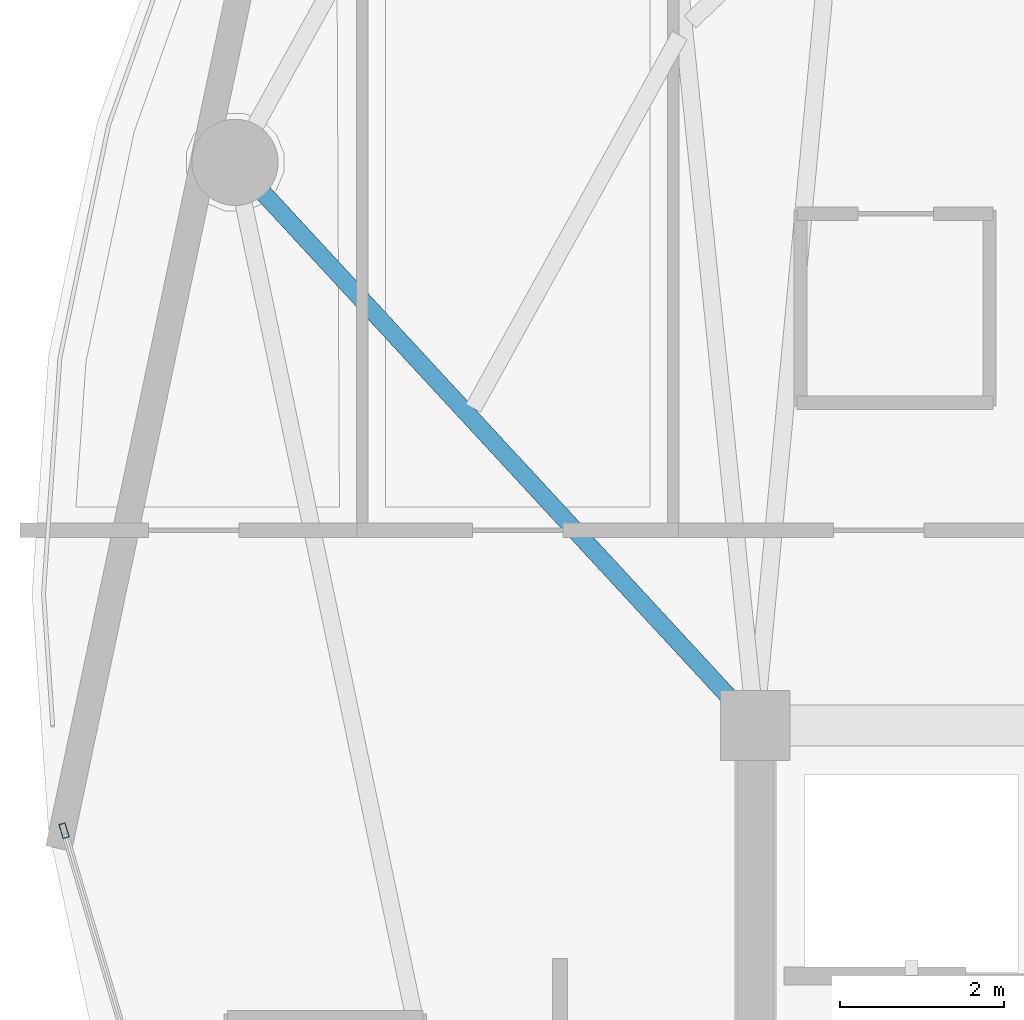
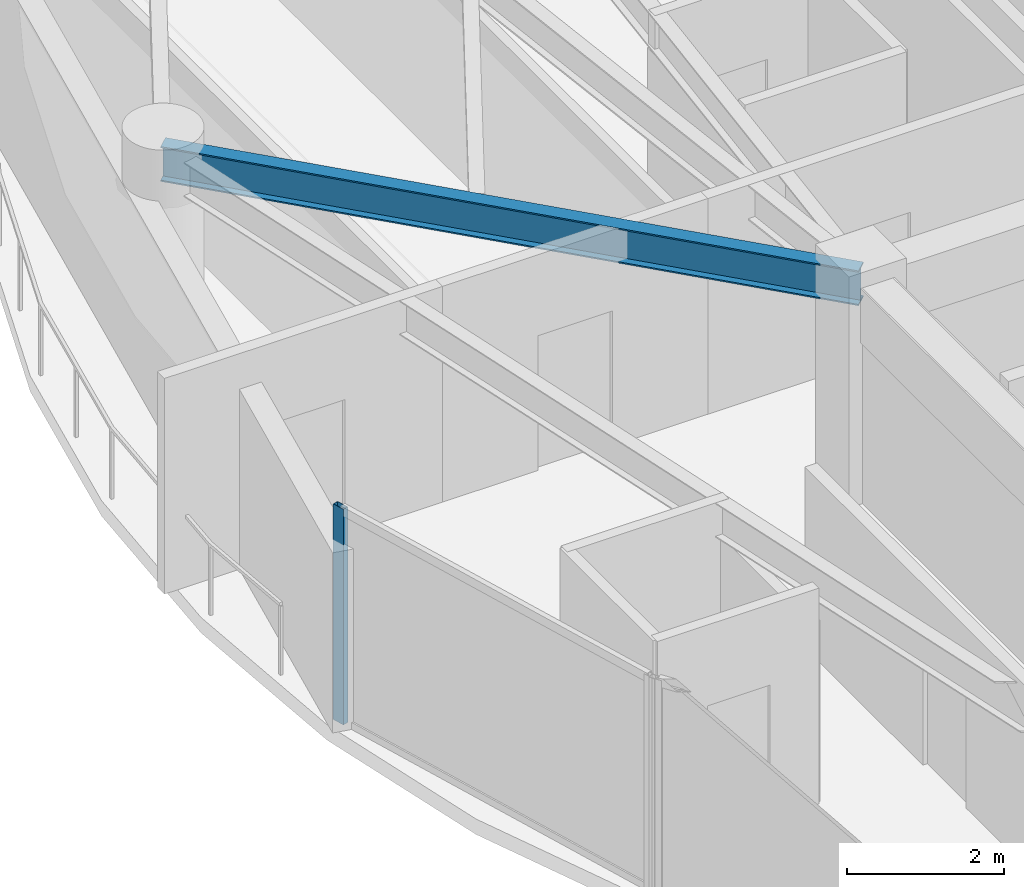
# One storey, part 7 of 29: 1 beam, 1 member, 1 element without a shape of its own.
"""IFC4 building model written with IfcOpenShell, lengths in metres."""

import ifcopenshell
import ifcopenshell.guid

model = None  # the IFC model being written
_history = None  # IfcOwnerHistory: only IFC2X3 demands one
_inside = {}  # id of a spatial element -> (the spatial element, [elements in it])
_under = {}  # id of a project, library or spatial element -> (it, [spatial elements below it])
_declared = {}  # id of a project -> (the project, [libraries it declares])
_typed = {}  # id of a type object -> (the type object, [elements of that type])
_made_of = {}  # id of a material, layer set ... -> (it, [elements and type objects made of it])


def new_model(schema):
    """Start an empty IFC model of exactly this schema.

    Asked for "IFC4X3", IfcOpenShell would pick the latest addendum, in which some entities
    have other attributes; the version numbers below select the first issue.
    IFC2X3 requires an IfcOwnerHistory on every rooted entity: one is made here for all.
    """
    global model, _history
    if schema == "IFC4X3":
        model = ifcopenshell.file(schema_version=(4, 3, 0, 0))
    else:
        model = ifcopenshell.file(schema=schema)
    _inside.clear()
    _under.clear()
    _declared.clear()
    _typed.clear()
    _made_of.clear()
    _history = None
    if model.schema == "IFC2X3":
        org = make("IfcOrganization", Name="unknown")
        user = make(
            "IfcPersonAndOrganization",
            ThePerson=make("IfcPerson", FamilyName="unknown"),
            TheOrganization=org,
        )
        app = make(
            "IfcApplication",
            ApplicationDeveloper=org,
            Version="unknown",
            ApplicationFullName="unknown",
            ApplicationIdentifier="unknown",
        )
        _history = make(
            "IfcOwnerHistory",
            OwningUser=user,
            OwningApplication=app,
            ChangeAction="ADDED",
            CreationDate=0,
        )
    return model


def make(cls, **values):
    """One entity of the class cls with the attributes given. An attribute that is None is left unset."""
    return model.create_entity(
        cls, **{name: value for name, value in values.items() if value is not None}
    )


def rooted(cls, **values):
    """An entity with a GlobalId (a new one), such as an element, a storey or a relation."""
    return make(cls, GlobalId=ifcopenshell.guid.new(), OwnerHistory=_history, **values)


def si_unit(unit_type, name, prefix=None):
    """IfcSIUnit, for example si_unit("LENGTHUNIT", "METRE", prefix="MILLI")."""
    return make("IfcSIUnit", UnitType=unit_type, Prefix=prefix, Name=name)


def assignment(units):
    """IfcUnitAssignment: the units of a project."""
    return None if units is None else make("IfcUnitAssignment", Units=units)


def point(xyz):
    """IfcCartesianPoint."""
    return None if xyz is None else make("IfcCartesianPoint", Coordinates=xyz)


def direction(xyz):
    """IfcDirection."""
    return None if xyz is None else make("IfcDirection", DirectionRatios=xyz)


def frame(location, z_axis=None, x_axis=None):
    """IfcAxis2Placement3D, a coordinate frame: its origin and axes. An axis left out is left unset."""
    return make(
        "IfcAxis2Placement3D",
        Location=point(location),
        Axis=direction(z_axis),
        RefDirection=direction(x_axis),
    )


def frame_2d(location, x_axis=None):
    """IfcAxis2Placement2D, a coordinate frame in the plane: its origin and x axis."""
    return make(
        "IfcAxis2Placement2D", Location=point(location), RefDirection=direction(x_axis)
    )


def origin():
    """The frame at (0, 0, 0) with its axes left unset."""
    return frame((0.0, 0.0, 0.0))


def origin_2d():
    """The frame at (0, 0) in the plane with its x axis left unset."""
    return frame_2d((0.0, 0.0))


def place(relative_to, where):
    """IfcLocalPlacement: puts the frame where relative to a parent placement (None: the world)."""
    return make(
        "IfcLocalPlacement", PlacementRelTo=relative_to, RelativePlacement=where
    )


def context(
    kind, dimensions, precision=None, world=None, true_north=None, identifier=None
):
    """IfcGeometricRepresentationContext, for example the 3D "Model" context."""
    return make(
        "IfcGeometricRepresentationContext",
        ContextIdentifier=identifier,
        ContextType=kind,
        CoordinateSpaceDimension=dimensions,
        Precision=precision,
        WorldCoordinateSystem=world,
        TrueNorth=true_north,
    )


def subcontext(parent, identifier, kind, view, scale=None):
    """IfcGeometricRepresentationSubContext, for example "Body" below "Model"."""
    return make(
        "IfcGeometricRepresentationSubContext",
        ContextIdentifier=identifier,
        ContextType=kind,
        ParentContext=parent,
        TargetScale=scale,
        TargetView=view,
    )


def project(units=None, contexts=None):
    """IfcProject with its units and contexts."""
    return rooted(
        "IfcProject",
        Name="project",
        RepresentationContexts=contexts,
        UnitsInContext=assignment(units),
    )


def spatial(cls, under=None, at=None, **own):
    """A site, building, storey or space (cls), placed at a placement, below another one or the project."""
    s = rooted(cls, ObjectPlacement=at, **own)
    if under is not None:
        _under.setdefault(under.id(), (under, []))[1].append(s)
    return s


def profile(cls, at=None, kind="AREA", **sizes):
    """A parametric profile (cls). Its sizes go by their IFC names, for example OverallWidth=200.0."""
    return make(cls, ProfileType=kind, Position=at, **sizes)


def hollow_rectangle(**sizes):
    """IfcRectangleHollowProfileDef."""
    return profile("IfcRectangleHollowProfileDef", **sizes)


def i_section(**sizes):
    """IfcIShapeProfileDef."""
    return profile("IfcIShapeProfileDef", **sizes)


def extrude(swept, where, along, depth):
    """IfcExtrudedAreaSolid: the profile swept, set in the frame where, extruded along a direction by depth."""
    return make(
        "IfcExtrudedAreaSolid",
        SweptArea=swept,
        Position=where,
        ExtrudedDirection=direction(along),
        Depth=depth,
    )


def shape(context_of_items, identifier, shape_type, items):
    """IfcShapeRepresentation: the items that make up one representation, for example the "Body"."""
    return make(
        "IfcShapeRepresentation",
        ContextOfItems=context_of_items,
        RepresentationIdentifier=identifier,
        RepresentationType=shape_type,
        Items=items,
    )


def material(Name=None, Category=None):
    """IfcMaterial."""
    return make("IfcMaterial", Name=Name, Category=Category)


def layer(
    of_material, thickness, ventilated=None, Name=None, Category=None, Priority=None
):
    """IfcMaterialLayer: one layer of a wall or slab, of a material (None: an air gap)."""
    return make(
        "IfcMaterialLayer",
        Material=of_material,
        LayerThickness=thickness,
        IsVentilated=ventilated,
        Name=Name,
        Category=Category,
        Priority=Priority,
    )


def layer_set(layers, Name=None):
    """IfcMaterialLayerSet."""
    return make("IfcMaterialLayerSet", MaterialLayers=layers, LayerSetName=Name)


def material_profile(
    of_material, cross_section, Name=None, Category=None, Priority=None
):
    """IfcMaterialProfile: a cross section and its material."""
    return make(
        "IfcMaterialProfile",
        Name=Name,
        Material=of_material,
        Profile=cross_section,
        Priority=Priority,
        Category=Category,
    )


def profile_set(profiles, Name=None, composite=None):
    """IfcMaterialProfileSet."""
    return make(
        "IfcMaterialProfileSet",
        Name=Name,
        MaterialProfiles=profiles,
        CompositeProfile=composite,
    )


def made_of(thing, what):
    """Note that an element or type object is made of a material, layer set ...; save() writes the relation."""
    if what is not None:
        _made_of.setdefault(what.id(), (what, []))[1].append(thing)
    return thing


def type_object(cls, material=None, **own):
    """A type object (cls), such as IfcWallType, which elements share."""
    return made_of(rooted(cls, **own), material)


def element(
    cls,
    number,
    at=None,
    inside=None,
    cuts=None,
    type_object=None,
    material=None,
    context=None,
    identifier="Body",
    shape_type=None,
    held_by="IfcProductDefinitionShape",
    body=None,
    shapes=None,
    **own,
):
    """One element of the class cls, such as IfcWall. Its Tag is "e" and its number.

    at: its placement. inside: the storey or other place that contains it. cuts: it is an
    opening in that element (IfcRelVoidsElement). A single representation is given by context,
    identifier, shape_type and body (its items); several are given by shapes. held_by: the class
    of the entity that holds the representations. save() writes the other relations.
    """
    e = rooted(cls, Tag="e%d" % number, ObjectPlacement=at, **own)
    if body is not None:
        shapes = [shape(context, identifier, shape_type, body)]
    if shapes is not None:
        e.Representation = make(held_by, Representations=shapes)
    if inside is not None:
        _inside.setdefault(inside.id(), (inside, []))[1].append(e)
    if cuts is not None:
        rooted(
            "IfcRelVoidsElement", RelatingBuildingElement=cuts, RelatedOpeningElement=e
        )
    if type_object is not None:
        _typed.setdefault(type_object.id(), (type_object, []))[1].append(e)
    return made_of(e, material)


def aggregate(whole, parts):
    """IfcRelAggregates: a whole, such as a stair, and the parts it consists of."""
    return rooted("IfcRelAggregates", RelatingObject=whole, RelatedObjects=parts)


def save(model, path):
    """Write the relations noted so far, then the file.

    IfcRelAggregates (storeys below a building ...), IfcRelContainedInSpatialStructure (elements
    in a storey), IfcRelDefinesByType, IfcRelAssociatesMaterial and IfcRelDeclares: one each for
    every whole, place, type object, material and project.
    """
    for whole, parts in _under.values():
        aggregate(whole, parts)
    for where, things in _inside.values():
        rooted(
            "IfcRelContainedInSpatialStructure",
            RelatedElements=things,
            RelatingStructure=where,
        )
    for kind, things in _typed.values():
        rooted("IfcRelDefinesByType", RelatedObjects=things, RelatingType=kind)
    for what, things in _made_of.values():
        rooted("IfcRelAssociatesMaterial", RelatedObjects=things, RelatingMaterial=what)
    for by, libraries in _declared.values():
        rooted("IfcRelDeclares", RelatingContext=by, RelatedDefinitions=libraries)
    model.write(path)


model = new_model("IFC4")

# Units and contexts
model_context = context("Model", 3, precision=1e-05, world=origin(), true_north=direction((0.0, 1.0)))
body_context = subcontext(model_context, "Body", "Model", "MODEL_VIEW")
ifc_project = project(units=[si_unit("LENGTHUNIT", "METRE"), si_unit("AREAUNIT", "SQUARE_METRE"), si_unit("VOLUMEUNIT", "CUBIC_METRE"), si_unit("PLANEANGLEUNIT", "RADIAN"), si_unit("MASSUNIT", "GRAM", prefix="KILO")], contexts=[model_context])

# Site, building, storey
site_placement = place(None, origin())
site = spatial("IfcSite", under=ifc_project, at=site_placement, CompositionType="ELEMENT")
building_placement = place(site_placement, origin())
building = spatial("IfcBuilding", under=site, at=building_placement, Name="Kazevale Care Tower and Concert Hall", CompositionType="ELEMENT")
storey_placement = place(building_placement, frame((0.0, 0.0, 199.199951171875)))
storey = spatial("IfcBuildingStorey", under=building, at=storey_placement, Name="L52", CompositionType="ELEMENT", Elevation=199.199951171875)

# Curtain wall, member
ifc_material_1 = material(Name="Aluminium 6063-T6 and Low-E Glass", Category="aluminium")
ifc_layer = layer(ifc_material_1, 0.179931640625)
ifc_layer_set = layer_set([ifc_layer], Name="Aluminium 6063-T6 and Low-E Glass")
curtain_wall_type = type_object("IfcCurtainWallType", Name="Waist & Upper Residential Curtain Wall CW-4", PredefinedType="NOTDEFINED", material=ifc_layer_set)
curtain_wall_placement = place(storey_placement, origin())
curtain_wall = element("IfcCurtainWall", 1, at=curtain_wall_placement, inside=storey, type_object=curtain_wall_type, Name="cw:L52:f12", PredefinedType="NOTDEFINED")
ifc_material_2 = material(Name="Aluminium 6063-T6", Category="aluminium")
ifc_material_profile_1 = material_profile(ifc_material_2, hollow_rectangle(XDim=0.080078125, YDim=0.179931640625, WallThickness=0.0048828125, at=origin_2d()), Name="ALU80x180x5")
ifc_profile_set_1 = profile_set([ifc_material_profile_1], Name="Aluminium 6063-T6")
member_type = type_object("IfcMemberType", Name="CW-4 Mullion ALU80x180x5", PredefinedType="MULLION", material=ifc_profile_set_1)
member_placement = place(storey_placement, frame((13.59033203125, 35.11865234375, 0.0), z_axis=(0.0, 0.0, 1.0), x_axis=(-0.959385539982, -0.282098184457, 0.0)))
member = element("IfcMember", 2, at=member_placement, type_object=member_type, Name="CW-4 mullion 2", PredefinedType="MULLION", context=body_context, shape_type="SweptSolid", body=[
    extrude(hollow_rectangle(XDim=0.080078125, YDim=0.179931640625, WallThickness=0.0048828125, at=origin_2d()), origin(), (0.0, 0.0, 1.0), 3.360107421875),
])
aggregate(curtain_wall, [member])

# Beam
ifc_material_3 = material(Name="Steel ASTM A572 Gr 50", Category="steel")
ifc_material_profile_2 = material_profile(ifc_material_3, i_section(OverallWidth=0.2119140625, OverallDepth=0.5439453125, WebThickness=0.01318359375, FlangeThickness=0.021240234375, at=origin_2d()), Name="W530x123")
ifc_profile_set_2 = profile_set([ifc_material_profile_2], Name="Steel ASTM A572 Gr 50")
beam_type = type_object("IfcBeamType", Name="Radial Floor Girder W530x123", PredefinedType="BEAM", material=ifc_profile_set_2)
beam_placement = place(storey_placement, frame((22.0, 36.39990234375, 3.088134765625), z_axis=(-0.678680078581, 0.734434034435, 0.0), x_axis=(-0.734434034435, -0.678680078581, 0.0)))
element("IfcBeam", 3, at=beam_placement, inside=storey, type_object=beam_type, Name="beam:L52:rad:09", PredefinedType="BEAM", context=body_context, shape_type="SweptSolid", body=[
    extrude(i_section(OverallWidth=0.2119140625, OverallDepth=0.5439453125, WebThickness=0.01318359375, FlangeThickness=0.021240234375, at=origin_2d()), origin(), (0.0, 0.0, 1.0), 9.3271484375),
])

save(model, "model.ifc")
